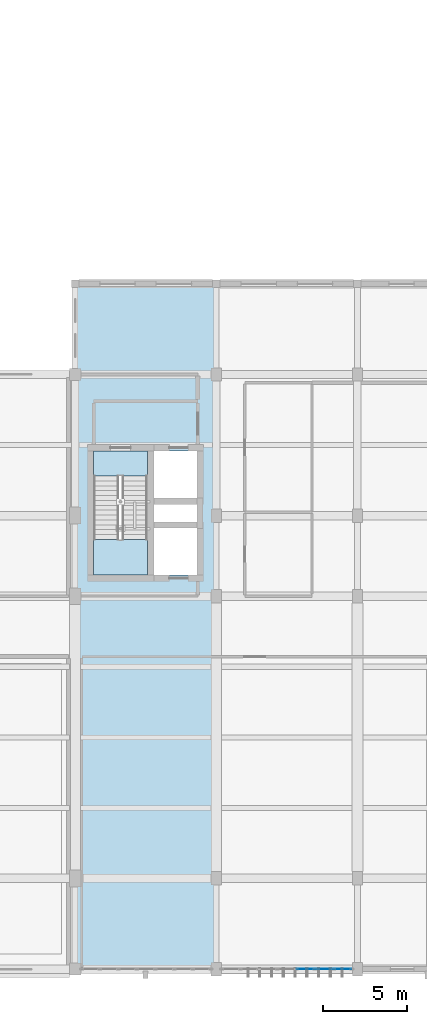
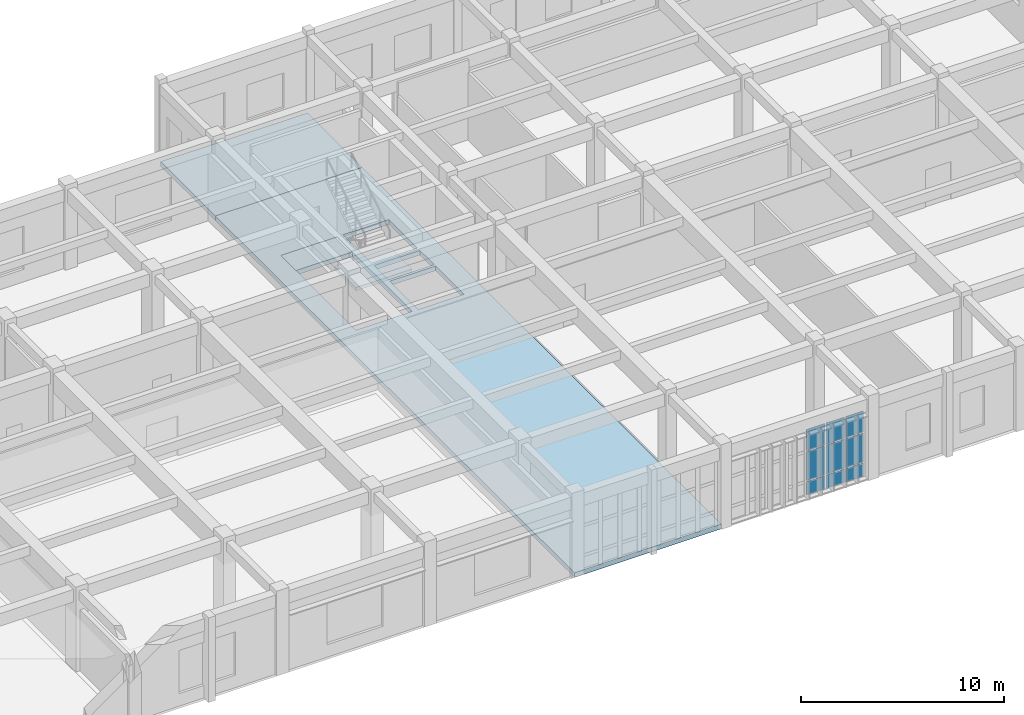
# One storey, part 70 of 106: 9 plates, 4 slabs, 2 elements without a shape of their own.
"""IFC4 building model written with IfcOpenShell, lengths in metres."""

import ifcopenshell
import ifcopenshell.guid

model = None  # the IFC model being written
_history = None  # IfcOwnerHistory: only IFC2X3 demands one
_inside = {}  # id of a spatial element -> (the spatial element, [elements in it])
_under = {}  # id of a project, library or spatial element -> (it, [spatial elements below it])
_declared = {}  # id of a project -> (the project, [libraries it declares])
_typed = {}  # id of a type object -> (the type object, [elements of that type])
_made_of = {}  # id of a material, layer set ... -> (it, [elements and type objects made of it])


def new_model(schema):
    """Start an empty IFC model of exactly this schema.

    Asked for "IFC4X3", IfcOpenShell would pick the latest addendum, in which some entities
    have other attributes; the version numbers below select the first issue.
    IFC2X3 requires an IfcOwnerHistory on every rooted entity: one is made here for all.
    """
    global model, _history
    if schema == "IFC4X3":
        model = ifcopenshell.file(schema_version=(4, 3, 0, 0))
    else:
        model = ifcopenshell.file(schema=schema)
    _inside.clear()
    _under.clear()
    _declared.clear()
    _typed.clear()
    _made_of.clear()
    _history = None
    if model.schema == "IFC2X3":
        org = make("IfcOrganization", Name="unknown")
        user = make(
            "IfcPersonAndOrganization",
            ThePerson=make("IfcPerson", FamilyName="unknown"),
            TheOrganization=org,
        )
        app = make(
            "IfcApplication",
            ApplicationDeveloper=org,
            Version="unknown",
            ApplicationFullName="unknown",
            ApplicationIdentifier="unknown",
        )
        _history = make(
            "IfcOwnerHistory",
            OwningUser=user,
            OwningApplication=app,
            ChangeAction="ADDED",
            CreationDate=0,
        )
    return model


def make(cls, **values):
    """One entity of the class cls with the attributes given. An attribute that is None is left unset."""
    return model.create_entity(
        cls, **{name: value for name, value in values.items() if value is not None}
    )


def rooted(cls, **values):
    """An entity with a GlobalId (a new one), such as an element, a storey or a relation."""
    return make(cls, GlobalId=ifcopenshell.guid.new(), OwnerHistory=_history, **values)


def si_unit(unit_type, name, prefix=None):
    """IfcSIUnit, for example si_unit("LENGTHUNIT", "METRE", prefix="MILLI")."""
    return make("IfcSIUnit", UnitType=unit_type, Prefix=prefix, Name=name)


def assignment(units):
    """IfcUnitAssignment: the units of a project."""
    return None if units is None else make("IfcUnitAssignment", Units=units)


def point(xyz):
    """IfcCartesianPoint."""
    return None if xyz is None else make("IfcCartesianPoint", Coordinates=xyz)


def direction(xyz):
    """IfcDirection."""
    return None if xyz is None else make("IfcDirection", DirectionRatios=xyz)


def frame(location, z_axis=None, x_axis=None):
    """IfcAxis2Placement3D, a coordinate frame: its origin and axes. An axis left out is left unset."""
    return make(
        "IfcAxis2Placement3D",
        Location=point(location),
        Axis=direction(z_axis),
        RefDirection=direction(x_axis),
    )


def frame_2d(location, x_axis=None):
    """IfcAxis2Placement2D, a coordinate frame in the plane: its origin and x axis."""
    return make(
        "IfcAxis2Placement2D", Location=point(location), RefDirection=direction(x_axis)
    )


def origin():
    """The frame at (0, 0, 0) with its axes left unset."""
    return frame((0.0, 0.0, 0.0))


def origin_2d():
    """The frame at (0, 0) in the plane with its x axis left unset."""
    return frame_2d((0.0, 0.0))


def place(relative_to, where):
    """IfcLocalPlacement: puts the frame where relative to a parent placement (None: the world)."""
    return make(
        "IfcLocalPlacement", PlacementRelTo=relative_to, RelativePlacement=where
    )


def context(
    kind, dimensions, precision=None, world=None, true_north=None, identifier=None
):
    """IfcGeometricRepresentationContext, for example the 3D "Model" context."""
    return make(
        "IfcGeometricRepresentationContext",
        ContextIdentifier=identifier,
        ContextType=kind,
        CoordinateSpaceDimension=dimensions,
        Precision=precision,
        WorldCoordinateSystem=world,
        TrueNorth=true_north,
    )


def subcontext(parent, identifier, kind, view, scale=None):
    """IfcGeometricRepresentationSubContext, for example "Body" below "Model"."""
    return make(
        "IfcGeometricRepresentationSubContext",
        ContextIdentifier=identifier,
        ContextType=kind,
        ParentContext=parent,
        TargetScale=scale,
        TargetView=view,
    )


def project(units=None, contexts=None):
    """IfcProject with its units and contexts."""
    return rooted(
        "IfcProject",
        Name="project",
        RepresentationContexts=contexts,
        UnitsInContext=assignment(units),
    )


def spatial(cls, under=None, at=None, **own):
    """A site, building, storey or space (cls), placed at a placement, below another one or the project."""
    s = rooted(cls, ObjectPlacement=at, **own)
    if under is not None:
        _under.setdefault(under.id(), (under, []))[1].append(s)
    return s


def polyline(points):
    """IfcPolyline through the points."""
    return make("IfcPolyline", Points=[point(p) for p in points])


def profile(cls, at=None, kind="AREA", **sizes):
    """A parametric profile (cls). Its sizes go by their IFC names, for example OverallWidth=200.0."""
    return make(cls, ProfileType=kind, Position=at, **sizes)


def rectangle(**sizes):
    """IfcRectangleProfileDef."""
    return profile("IfcRectangleProfileDef", **sizes)


def outline(outer, holes=None, kind="AREA"):
    """IfcArbitraryClosedProfileDef: a profile drawn as a closed curve; with holes, ...WithVoids."""
    if holes is None:
        return make("IfcArbitraryClosedProfileDef", ProfileType=kind, OuterCurve=outer)
    return make(
        "IfcArbitraryProfileDefWithVoids",
        ProfileType=kind,
        OuterCurve=outer,
        InnerCurves=holes,
    )


def extrude(swept, where, along, depth):
    """IfcExtrudedAreaSolid: the profile swept, set in the frame where, extruded along a direction by depth."""
    return make(
        "IfcExtrudedAreaSolid",
        SweptArea=swept,
        Position=where,
        ExtrudedDirection=direction(along),
        Depth=depth,
    )


def shape(context_of_items, identifier, shape_type, items):
    """IfcShapeRepresentation: the items that make up one representation, for example the "Body"."""
    return make(
        "IfcShapeRepresentation",
        ContextOfItems=context_of_items,
        RepresentationIdentifier=identifier,
        RepresentationType=shape_type,
        Items=items,
    )


def material(Name=None, Category=None):
    """IfcMaterial."""
    return make("IfcMaterial", Name=Name, Category=Category)


def layer(
    of_material, thickness, ventilated=None, Name=None, Category=None, Priority=None
):
    """IfcMaterialLayer: one layer of a wall or slab, of a material (None: an air gap)."""
    return make(
        "IfcMaterialLayer",
        Material=of_material,
        LayerThickness=thickness,
        IsVentilated=ventilated,
        Name=Name,
        Category=Category,
        Priority=Priority,
    )


def layer_set(layers, Name=None):
    """IfcMaterialLayerSet."""
    return make("IfcMaterialLayerSet", MaterialLayers=layers, LayerSetName=Name)


def made_of(thing, what):
    """Note that an element or type object is made of a material, layer set ...; save() writes the relation."""
    if what is not None:
        _made_of.setdefault(what.id(), (what, []))[1].append(thing)
    return thing


def type_object(cls, material=None, **own):
    """A type object (cls), such as IfcWallType, which elements share."""
    return made_of(rooted(cls, **own), material)


def element(
    cls,
    number,
    at=None,
    inside=None,
    cuts=None,
    type_object=None,
    material=None,
    context=None,
    identifier="Body",
    shape_type=None,
    held_by="IfcProductDefinitionShape",
    body=None,
    shapes=None,
    **own,
):
    """One element of the class cls, such as IfcWall. Its Tag is "e" and its number.

    at: its placement. inside: the storey or other place that contains it. cuts: it is an
    opening in that element (IfcRelVoidsElement). A single representation is given by context,
    identifier, shape_type and body (its items); several are given by shapes. held_by: the class
    of the entity that holds the representations. save() writes the other relations.
    """
    e = rooted(cls, Tag="e%d" % number, ObjectPlacement=at, **own)
    if body is not None:
        shapes = [shape(context, identifier, shape_type, body)]
    if shapes is not None:
        e.Representation = make(held_by, Representations=shapes)
    if inside is not None:
        _inside.setdefault(inside.id(), (inside, []))[1].append(e)
    if cuts is not None:
        rooted(
            "IfcRelVoidsElement", RelatingBuildingElement=cuts, RelatedOpeningElement=e
        )
    if type_object is not None:
        _typed.setdefault(type_object.id(), (type_object, []))[1].append(e)
    return made_of(e, material)


def aggregate(whole, parts):
    """IfcRelAggregates: a whole, such as a stair, and the parts it consists of."""
    return rooted("IfcRelAggregates", RelatingObject=whole, RelatedObjects=parts)


def save(model, path):
    """Write the relations noted so far, then the file.

    IfcRelAggregates (storeys below a building ...), IfcRelContainedInSpatialStructure (elements
    in a storey), IfcRelDefinesByType, IfcRelAssociatesMaterial and IfcRelDeclares: one each for
    every whole, place, type object, material and project.
    """
    for whole, parts in _under.values():
        aggregate(whole, parts)
    for where, things in _inside.values():
        rooted(
            "IfcRelContainedInSpatialStructure",
            RelatedElements=things,
            RelatingStructure=where,
        )
    for kind, things in _typed.values():
        rooted("IfcRelDefinesByType", RelatedObjects=things, RelatingType=kind)
    for what, things in _made_of.values():
        rooted("IfcRelAssociatesMaterial", RelatedObjects=things, RelatingMaterial=what)
    for by, libraries in _declared.values():
        rooted("IfcRelDeclares", RelatingContext=by, RelatedDefinitions=libraries)
    model.write(path)


model = new_model("IFC4")

# Units and contexts
model_context = context("Model", 3, precision=1e-05, world=origin(), true_north=direction((0.0, 1.0)))
body_context = subcontext(model_context, "Body", "Model", "MODEL_VIEW")
ifc_project = project(units=[si_unit("LENGTHUNIT", "METRE"), si_unit("AREAUNIT", "SQUARE_METRE"), si_unit("VOLUMEUNIT", "CUBIC_METRE"), si_unit("PLANEANGLEUNIT", "RADIAN"), si_unit("MASSUNIT", "GRAM", prefix="KILO")], contexts=[model_context])

# Site, building, storey
site_placement = place(None, origin())
site = spatial("IfcSite", under=ifc_project, at=site_placement, CompositionType="ELEMENT")
building_placement = place(site_placement, origin())
building = spatial("IfcBuilding", under=site, at=building_placement, Name="Krzemoval Escarpment Law Courts", CompositionType="ELEMENT")
storey_placement = place(building_placement, frame((0.0, 0.0, 5.10009765625)))
storey = spatial("IfcBuildingStorey", under=building, at=storey_placement, Name="L01", CompositionType="ELEMENT", Elevation=5.10009765625)

# Curtain wall, plates
ifc_material_1 = material(Name="Aluminium 6063-T6", Category="aluminium")
ifc_layer_1 = layer(ifc_material_1, 0.239990234375)
ifc_layer_set_1 = layer_set([ifc_layer_1], Name="Aluminium 6063-T6")
curtain_wall_type = type_object("IfcCurtainWallType", Name="CW-LIBR-4800", PredefinedType="USERDEFINED", material=ifc_layer_set_1)
curtain_wall_placement = place(storey_placement, origin())
curtain_wall = element("IfcCurtainWall", 1, at=curtain_wall_placement, inside=storey, type_object=curtain_wall_type, Name="Unitised Curtain Wall FCW-L01-043", ObjectType="UNITISED_CURTAIN_WALL", PredefinedType="USERDEFINED")
ifc_material_2 = material(Name="Triple Glazing IGU", Category="glass")
ifc_layer_2 = layer(ifc_material_2, 0.048095703125)
ifc_layer_set_2 = layer_set([ifc_layer_2], Name="Triple Glazing IGU")
plate_type = type_object("IfcPlateType", Name="CWP-GLZ-48", PredefinedType="CURTAIN_PANEL", material=ifc_layer_set_2)
plate_1_placement = place(storey_placement, frame((125.1240234375, 0.0, 0.074951171875), z_axis=(0.0, 0.0, 1.0), x_axis=(-1.0, 0.0, 0.0)))
plate_1 = element("IfcPlate", 2, at=plate_1_placement, type_object=plate_type, Name="FCW-L01-043 panel 1.1", PredefinedType="CURTAIN_PANEL", context=body_context, shape_type="SweptSolid", body=[
    extrude(rectangle(XDim=1.001708984375, YDim=0.048095703125, at=origin_2d()), origin(), (0.0, 0.0, 1.0), 0.78759765625),
])
plate_2_placement = place(storey_placement, frame((125.1240234375, 0.0, 0.937255859375), z_axis=(0.0, 0.0, 1.0), x_axis=(-1.0, 0.0, 0.0)))
plate_2 = element("IfcPlate", 3, at=plate_2_placement, type_object=plate_type, Name="FCW-L01-043 panel 1.2", PredefinedType="CURTAIN_PANEL", context=body_context, shape_type="SweptSolid", body=[
    extrude(rectangle(XDim=1.001708984375, YDim=0.048095703125, at=origin_2d()), origin(), (0.0, 0.0, 1.0), 1.72509765625),
])
plate_3_placement = place(storey_placement, frame((125.1240234375, 0.0, 2.7373046875), z_axis=(0.0, 0.0, 1.0), x_axis=(-1.0, 0.0, 0.0)))
plate_3 = element("IfcPlate", 4, at=plate_3_placement, type_object=plate_type, Name="FCW-L01-043 panel 1.3", PredefinedType="CURTAIN_PANEL", context=body_context, shape_type="SweptSolid", body=[
    extrude(rectangle(XDim=1.001708984375, YDim=0.048095703125, at=origin_2d()), origin(), (0.0, 0.0, 1.0), 1.257568359375),
])
plate_4_placement = place(storey_placement, frame((124.028564453125, 0.0, 0.074951171875), z_axis=(0.0, 0.0, 1.0), x_axis=(-1.0, 0.0, 0.0)))
plate_4 = element("IfcPlate", 5, at=plate_4_placement, type_object=plate_type, Name="FCW-L01-043 panel 2.1", PredefinedType="CURTAIN_PANEL", context=body_context, shape_type="SweptSolid", body=[
    extrude(rectangle(XDim=1.039306640625, YDim=0.048095703125, at=origin_2d()), origin(), (0.0, 0.0, 1.0), 0.78759765625),
])
plate_5_placement = place(storey_placement, frame((124.028564453125, 0.0, 0.937255859375), z_axis=(0.0, 0.0, 1.0), x_axis=(-1.0, 0.0, 0.0)))
plate_5 = element("IfcPlate", 6, at=plate_5_placement, type_object=plate_type, Name="FCW-L01-043 panel 2.2", PredefinedType="CURTAIN_PANEL", context=body_context, shape_type="SweptSolid", body=[
    extrude(rectangle(XDim=1.039306640625, YDim=0.048095703125, at=origin_2d()), origin(), (0.0, 0.0, 1.0), 1.72509765625),
])
plate_6_placement = place(storey_placement, frame((124.028564453125, 0.0, 2.7373046875), z_axis=(0.0, 0.0, 1.0), x_axis=(-1.0, 0.0, 0.0)))
plate_6 = element("IfcPlate", 7, at=plate_6_placement, type_object=plate_type, Name="FCW-L01-043 panel 2.3", PredefinedType="CURTAIN_PANEL", context=body_context, shape_type="SweptSolid", body=[
    extrude(rectangle(XDim=1.039306640625, YDim=0.048095703125, at=origin_2d()), origin(), (0.0, 0.0, 1.0), 1.257568359375),
])
plate_7_placement = place(storey_placement, frame((122.914306640625, 0.0, 0.074951171875), z_axis=(0.0, 0.0, 1.0), x_axis=(-1.0, 0.0, 0.0)))
plate_7 = element("IfcPlate", 8, at=plate_7_placement, type_object=plate_type, Name="FCW-L01-043 panel 3.1", PredefinedType="CURTAIN_PANEL", context=body_context, shape_type="SweptSolid", body=[
    extrude(rectangle(XDim=1.039306640625, YDim=0.048095703125, at=origin_2d()), origin(), (0.0, 0.0, 1.0), 0.78759765625),
])
plate_8_placement = place(storey_placement, frame((122.914306640625, 0.0, 0.937255859375), z_axis=(0.0, 0.0, 1.0), x_axis=(-1.0, 0.0, 0.0)))
plate_8 = element("IfcPlate", 9, at=plate_8_placement, type_object=plate_type, Name="FCW-L01-043 panel 3.2", PredefinedType="CURTAIN_PANEL", context=body_context, shape_type="SweptSolid", body=[
    extrude(rectangle(XDim=1.039306640625, YDim=0.048095703125, at=origin_2d()), origin(), (0.0, 0.0, 1.0), 1.72509765625),
])
plate_9_placement = place(storey_placement, frame((122.914306640625, 0.0, 2.7373046875), z_axis=(0.0, 0.0, 1.0), x_axis=(-1.0, 0.0, 0.0)))
plate_9 = element("IfcPlate", 10, at=plate_9_placement, type_object=plate_type, Name="FCW-L01-043 panel 3.3", PredefinedType="CURTAIN_PANEL", context=body_context, shape_type="SweptSolid", body=[
    extrude(rectangle(XDim=1.039306640625, YDim=0.048095703125, at=origin_2d()), origin(), (0.0, 0.0, 1.0), 1.257568359375),
])
aggregate(curtain_wall, [plate_1, plate_2, plate_3, plate_4, plate_5, plate_6, plate_7, plate_8, plate_9])

# Stair, slab
ifc_material_3 = material(Name="Concrete C40/50", Category="concrete")
stair_type = type_object("IfcStairType", Name="STR-CORE-1500", PredefinedType="HALF_TURN_STAIR", material=ifc_material_3)
stair_placement = place(storey_placement, origin())
stair = element("IfcStair", 11, at=stair_placement, inside=storey, type_object=stair_type, Name="L01 ST6", PredefinedType="HALF_TURN_STAIR")
ifc_material_4 = material(Name="Concrete C40/50", Category="concrete")
ifc_layer_3 = layer(ifc_material_4, 0.199951171875)
ifc_layer_set_3 = layer_set([ifc_layer_3], Name="Concrete C40/50")
slab_type_1 = type_object("IfcSlabType", Name="SL-LND-200", PredefinedType="LANDING", material=ifc_layer_set_3)
slab_1_placement = place(storey_placement, frame((0.0, 0.0, 2.349853515625)))
slab_1 = element("IfcSlab", 12, at=slab_1_placement, type_object=slab_type_1, Name="ST6 landing 1", PredefinedType="LANDING", context=body_context, shape_type="SweptSolid", body=[
    extrude(outline(polyline([(110.300048828125, 25.580078125), (110.300048828125, 23.449951171875), (113.5, 23.449951171875), (113.5, 25.580078125), (110.300048828125, 25.580078125)])), origin(), (0.0, 0.0, 1.0), 0.199951171875),
])
aggregate(stair, [slab_1])

# Slabs
ifc_material_5 = material(Name="Concrete C50/60", Category="concrete")
ifc_layer_4 = layer(ifc_material_5, 0.280029296875)
ifc_layer_set_4 = layer_set([ifc_layer_4], Name="Concrete C50/60")
slab_type_2 = type_object("IfcSlabType", Name="SL-PT-280", PredefinedType="FLOOR", material=ifc_layer_set_4)
slab_2_placement = place(storey_placement, frame((0.0, 0.0, -0.280029296875)))
element("IfcSlab", 13, at=slab_2_placement, inside=storey, type_object=slab_type_2, Name="Floor Slab SL-L01-V3-020", PredefinedType="FLOOR", context=body_context, shape_type="SweptSolid", body=[
    extrude(outline(polyline([(109.199951171875, 0.0), (109.199951171875, 35.39990234375), (117.56005859375, 35.39990234375), (117.56005859375, 0.0), (109.199951171875, 0.0)]), holes=[polyline([(116.449951171875, 23.449951171875), (116.449951171875, 26.25), (113.85009765625, 26.25), (113.85009765625, 23.449951171875), (116.449951171875, 23.449951171875)]), polyline([(113.85009765625, 28.050048828125), (116.449951171875, 28.050048828125), (116.449951171875, 30.85009765625), (113.85009765625, 30.85009765625), (113.85009765625, 28.050048828125)]), polyline([(113.85009765625, 27.800048828125), (113.85009765625, 26.39990234375), (116.449951171875, 26.39990234375), (116.449951171875, 27.800048828125), (113.85009765625, 27.800048828125)]), polyline([(113.5, 30.85009765625), (110.300048828125, 30.85009765625), (110.300048828125, 23.449951171875), (113.5, 23.449951171875), (113.5, 30.85009765625)])]), origin(), (0.0, 0.0, 1.0), 0.280029296875),
])
slab_3_placement = place(storey_placement, frame((0.0, 0.0, -0.280029296875)))
element("IfcSlab", 14, at=slab_3_placement, inside=storey, type_object=slab_type_2, Name="Floor Slab SL-L01-V6-026", PredefinedType="FLOOR", context=body_context, shape_type="SweptSolid", body=[
    extrude(outline(polyline([(109.199951171875, 35.39990234375), (109.199951171875, 40.800048828125), (117.56005859375, 40.800048828125), (117.56005859375, 35.39990234375), (109.199951171875, 35.39990234375)])), origin(), (0.0, 0.0, 1.0), 0.280029296875),
])
slab_4_placement = place(storey_placement, frame((0.0, 0.0, -0.280029296875)))
element("IfcSlab", 15, at=slab_4_placement, inside=storey, type_object=slab_type_2, Name="Core Floor Landing Slab SL-ST6-L01-FL", PredefinedType="FLOOR", context=body_context, shape_type="SweptSolid", body=[
    extrude(outline(polyline([(110.300048828125, 30.85009765625), (110.300048828125, 29.35009765625), (113.5, 29.35009765625), (113.5, 30.85009765625), (110.300048828125, 30.85009765625)])), origin(), (0.0, 0.0, 1.0), 0.280029296875),
])

save(model, "model.ifc")
